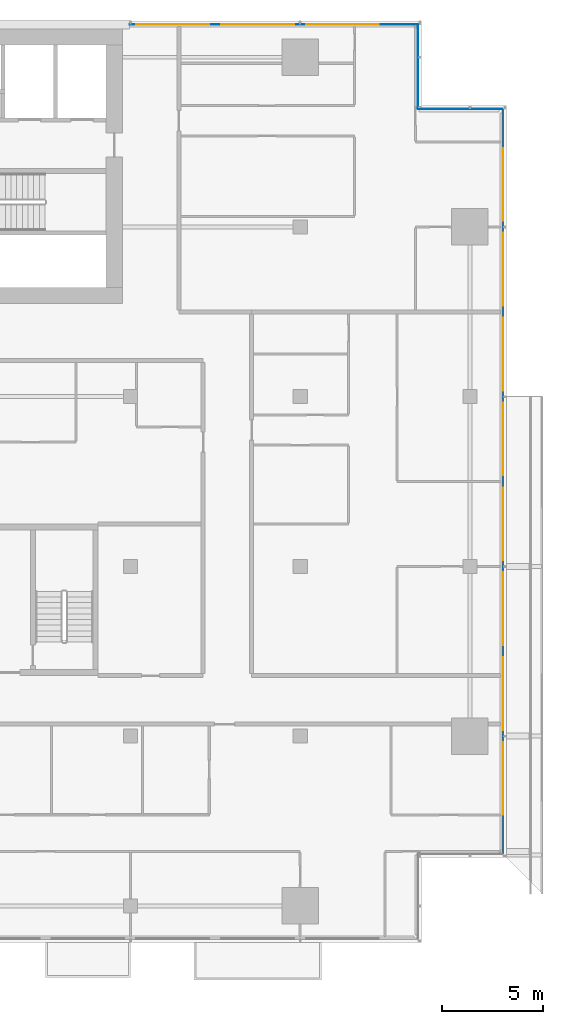
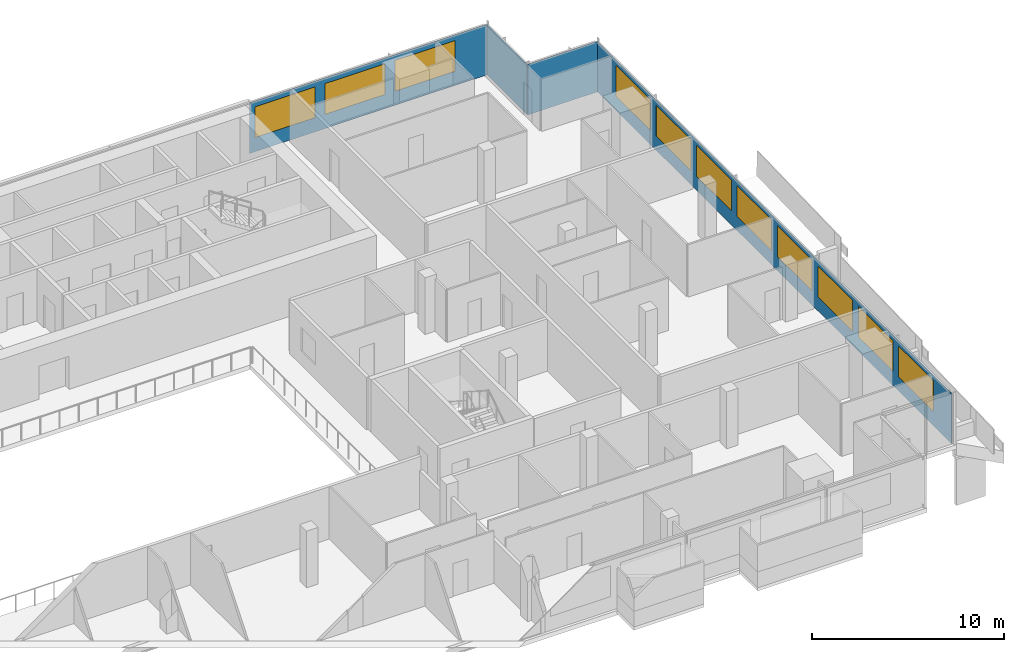
# One storey, part 17 of 29: 11 windows, 4 plates, 11 openings, 4 elements without a shape of their own.
"""IFC4 building model written with IfcOpenShell, lengths in metres."""

from ifc_helpers import new_model, si_unit, direction, frame, frame_2d, origin, place, context, subcontext, project, spatial, rectangle, extrude, material, layer, layer_set, type_object, element, fill, aggregate, save


model = new_model("IFC4")

# Units and contexts
model_context = context("Model", 3, precision=1e-05, world=origin(), true_north=direction((0.0, 1.0)))
body_context = subcontext(model_context, "Body", "Model", "MODEL_VIEW")
ifc_project = project(units=[si_unit("LENGTHUNIT", "METRE"), si_unit("AREAUNIT", "SQUARE_METRE"), si_unit("VOLUMEUNIT", "CUBIC_METRE"), si_unit("PLANEANGLEUNIT", "RADIAN"), si_unit("MASSUNIT", "GRAM", prefix="KILO")], contexts=[model_context])

# Site, building, storey
site_placement = place(None, origin())
site = spatial("IfcSite", under=ifc_project, at=site_placement, CompositionType="ELEMENT")
building_placement = place(site_placement, origin())
building = spatial("IfcBuilding", under=site, at=building_placement, Name="Saffron Gate Tower", CompositionType="ELEMENT")
storey_placement = place(building_placement, frame((0.0, 0.0, 161.85009765625)))
storey = spatial("IfcBuildingStorey", under=building, at=storey_placement, Name="L39", CompositionType="ELEMENT", Elevation=161.85009765625)

# Curtain wall, plate, openings, windows
ifc_material_1 = material(Name="Aluminium, bronze anodised", Category="aluminium")
curtain_wall_type_1 = type_object("IfcCurtainWallType", Name="CWS2 curtain wall side facades", PredefinedType="NOTDEFINED", material=ifc_material_1)
curtain_wall_1_placement = place(storey_placement, origin())
curtain_wall_1 = element("IfcCurtainWall", 1, at=curtain_wall_1_placement, inside=storey, type_object=curtain_wall_type_1, Name="CWS2 run 4", PredefinedType="NOTDEFINED")
ifc_material_2 = material(Name="Fritted bronze-tinted laminated glass", Category="glass")
ifc_layer_1 = layer(ifc_material_2, 0.028076171875)
ifc_layer_set_1 = layer_set([ifc_layer_1], Name="CWS2 fixed glass")
plate_type_1 = type_object("IfcPlateType", Name="CWS2 fixed glass", PredefinedType="CURTAIN_PANEL", material=ifc_layer_set_1)
plate_1_placement = place(storey_placement, frame((127.02587890625, 34.387939453125, 0.0), z_axis=(0.0, 0.0, 1.0), x_axis=(0.0, 1.0, 0.0)))
plate_1 = element("IfcPlate", 2, at=plate_1_placement, type_object=plate_type_1, Name="CWS2 glass panel", PredefinedType="CURTAIN_PANEL", context=body_context, shape_type="SweptSolid", body=[
    extrude(rectangle(XDim=36.823974609375, YDim=0.028076171875, at=frame_2d((18.412109375, 0.0))), origin(), (0.0, 0.0, 1.0), 3.199951171875),
])
opening_1_placement = place(plate_1_placement, frame((1.912109375, 0.0, 0.89990234375)))
opening_1 = element("IfcOpeningElement", 3, at=opening_1_placement, cuts=plate_1, Name="Opening W1", PredefinedType="OPENING", context=body_context, shape_type="SweptSolid", body=[
    extrude(rectangle(XDim=3.60009765625, YDim=1.949951171875, at=frame_2d((1.800048828125, 0.97509765625))), frame((0.0, 0.02392578125, 0.0), z_axis=(0.0, -1.0, 0.0), x_axis=(1.0, 0.0, 0.0)), (0.0, 0.0, 1.0), 0.048095703125),
])
opening_2_placement = place(plate_1_placement, frame((6.112060546875, 0.0, 0.89990234375)))
opening_2 = element("IfcOpeningElement", 4, at=opening_2_placement, cuts=plate_1, Name="Opening W1", PredefinedType="OPENING", context=body_context, shape_type="SweptSolid", body=[
    extrude(rectangle(XDim=3.60009765625, YDim=1.949951171875, at=frame_2d((1.800048828125, 0.97509765625))), frame((0.0, 0.02392578125, 0.0), z_axis=(0.0, -1.0, 0.0), x_axis=(1.0, 0.0, 0.0)), (0.0, 0.0, 1.0), 0.048095703125),
])
opening_3_placement = place(plate_1_placement, frame((10.31201171875, 0.0, 0.89990234375)))
opening_3 = element("IfcOpeningElement", 5, at=opening_3_placement, cuts=plate_1, Name="Opening W1", PredefinedType="OPENING", context=body_context, shape_type="SweptSolid", body=[
    extrude(rectangle(XDim=3.60009765625, YDim=1.949951171875, at=frame_2d((1.800048828125, 0.97509765625))), frame((0.0, 0.02392578125, 0.0), z_axis=(0.0, -1.0, 0.0), x_axis=(1.0, 0.0, 0.0)), (0.0, 0.0, 1.0), 0.048095703125),
])
opening_4_placement = place(plate_1_placement, frame((14.511962890625, 0.0, 0.89990234375)))
opening_4 = element("IfcOpeningElement", 6, at=opening_4_placement, cuts=plate_1, Name="Opening W1", PredefinedType="OPENING", context=body_context, shape_type="SweptSolid", body=[
    extrude(rectangle(XDim=3.60009765625, YDim=1.949951171875, at=frame_2d((1.800048828125, 0.97509765625))), frame((0.0, 0.02392578125, 0.0), z_axis=(0.0, -1.0, 0.0), x_axis=(1.0, 0.0, 0.0)), (0.0, 0.0, 1.0), 0.048095703125),
])
opening_5_placement = place(plate_1_placement, frame((18.7119140625, 0.0, 0.89990234375)))
opening_5 = element("IfcOpeningElement", 7, at=opening_5_placement, cuts=plate_1, Name="Opening W1", PredefinedType="OPENING", context=body_context, shape_type="SweptSolid", body=[
    extrude(rectangle(XDim=3.60009765625, YDim=1.949951171875, at=frame_2d((1.800048828125, 0.97509765625))), frame((0.0, 0.02392578125, 0.0), z_axis=(0.0, -1.0, 0.0), x_axis=(1.0, 0.0, 0.0)), (0.0, 0.0, 1.0), 0.048095703125),
])
opening_6_placement = place(plate_1_placement, frame((22.912109375, 0.0, 0.89990234375)))
opening_6 = element("IfcOpeningElement", 8, at=opening_6_placement, cuts=plate_1, Name="Opening W1", PredefinedType="OPENING", context=body_context, shape_type="SweptSolid", body=[
    extrude(rectangle(XDim=3.60009765625, YDim=1.949951171875, at=frame_2d((1.800048828125, 0.97509765625))), frame((0.0, 0.02392578125, 0.0), z_axis=(0.0, -1.0, 0.0), x_axis=(1.0, 0.0, 0.0)), (0.0, 0.0, 1.0), 0.048095703125),
])
opening_7_placement = place(plate_1_placement, frame((27.112060546875, 0.0, 0.89990234375)))
opening_7 = element("IfcOpeningElement", 9, at=opening_7_placement, cuts=plate_1, Name="Opening W1", PredefinedType="OPENING", context=body_context, shape_type="SweptSolid", body=[
    extrude(rectangle(XDim=3.60009765625, YDim=1.949951171875, at=frame_2d((1.800048828125, 0.97509765625))), frame((0.0, 0.02392578125, 0.0), z_axis=(0.0, -1.0, 0.0), x_axis=(1.0, 0.0, 0.0)), (0.0, 0.0, 1.0), 0.048095703125),
])
opening_8_placement = place(plate_1_placement, frame((31.31201171875, 0.0, 0.89990234375)))
opening_8 = element("IfcOpeningElement", 10, at=opening_8_placement, cuts=plate_1, Name="Opening W1", PredefinedType="OPENING", context=body_context, shape_type="SweptSolid", body=[
    extrude(rectangle(XDim=3.60009765625, YDim=1.949951171875, at=frame_2d((1.800048828125, 0.97509765625))), frame((0.0, 0.02392578125, 0.0), z_axis=(0.0, -1.0, 0.0), x_axis=(1.0, 0.0, 0.0)), (0.0, 0.0, 1.0), 0.048095703125),
])
ifc_material_3 = material(Name="Fritted bronze-tinted laminated glass in bronze frame", Category="glass")
ifc_layer_2 = layer(ifc_material_3, 0.06005859375)
ifc_layer_set_2 = layer_set([ifc_layer_2], Name="W1 operable panel 3600x1950")
window_type = type_object("IfcWindowType", Name="W1 operable panel 3600x1950", PartitioningType="DOUBLE_PANEL_HORIZONTAL", PredefinedType="WINDOW", material=ifc_layer_set_2)
window_1_placement = place(opening_1_placement, origin())
window_1 = element("IfcWindow", 11, at=window_1_placement, type_object=window_type, Name="W1 operable panel", OverallHeight=1.949951171875, OverallWidth=3.60009765625, PartitioningType="SINGLE_PANEL", PredefinedType="WINDOW", context=body_context, shape_type="SweptSolid", body=[
    extrude(rectangle(XDim=3.60009765625, YDim=1.949951171875, at=frame_2d((1.800048828125, 0.97509765625))), frame((0.0, 0.013671875, 0.0), z_axis=(0.0, -1.0, 0.0), x_axis=(1.0, 0.0, 0.0)), (0.0, 0.0, 1.0), 0.027587890625),
])
fill(opening_1, window_1)
window_2_placement = place(opening_2_placement, origin())
window_2 = element("IfcWindow", 12, at=window_2_placement, type_object=window_type, Name="W1 operable panel", OverallHeight=1.949951171875, OverallWidth=3.60009765625, PartitioningType="SINGLE_PANEL", PredefinedType="WINDOW", context=body_context, shape_type="SweptSolid", body=[
    extrude(rectangle(XDim=3.60009765625, YDim=1.949951171875, at=frame_2d((1.800048828125, 0.97509765625))), frame((0.0, 0.013671875, 0.0), z_axis=(0.0, -1.0, 0.0), x_axis=(1.0, 0.0, 0.0)), (0.0, 0.0, 1.0), 0.027587890625),
])
fill(opening_2, window_2)
window_3_placement = place(opening_3_placement, origin())
window_3 = element("IfcWindow", 13, at=window_3_placement, type_object=window_type, Name="W1 operable panel", OverallHeight=1.949951171875, OverallWidth=3.60009765625, PartitioningType="SINGLE_PANEL", PredefinedType="WINDOW", context=body_context, shape_type="SweptSolid", body=[
    extrude(rectangle(XDim=3.60009765625, YDim=1.949951171875, at=frame_2d((1.800048828125, 0.97509765625))), frame((0.0, 0.013671875, 0.0), z_axis=(0.0, -1.0, 0.0), x_axis=(1.0, 0.0, 0.0)), (0.0, 0.0, 1.0), 0.027587890625),
])
fill(opening_3, window_3)
window_4_placement = place(opening_4_placement, origin())
window_4 = element("IfcWindow", 14, at=window_4_placement, type_object=window_type, Name="W1 operable panel", OverallHeight=1.949951171875, OverallWidth=3.60009765625, PartitioningType="SINGLE_PANEL", PredefinedType="WINDOW", context=body_context, shape_type="SweptSolid", body=[
    extrude(rectangle(XDim=3.60009765625, YDim=1.949951171875, at=frame_2d((1.800048828125, 0.97509765625))), frame((0.0, 0.013671875, 0.0), z_axis=(0.0, -1.0, 0.0), x_axis=(1.0, 0.0, 0.0)), (0.0, 0.0, 1.0), 0.027587890625),
])
fill(opening_4, window_4)
window_5_placement = place(opening_5_placement, origin())
window_5 = element("IfcWindow", 15, at=window_5_placement, type_object=window_type, Name="W1 operable panel", OverallHeight=1.949951171875, OverallWidth=3.60009765625, PartitioningType="SINGLE_PANEL", PredefinedType="WINDOW", context=body_context, shape_type="SweptSolid", body=[
    extrude(rectangle(XDim=3.60009765625, YDim=1.949951171875, at=frame_2d((1.800048828125, 0.97509765625))), frame((0.0, 0.013671875, 0.0), z_axis=(0.0, -1.0, 0.0), x_axis=(1.0, 0.0, 0.0)), (0.0, 0.0, 1.0), 0.027587890625),
])
fill(opening_5, window_5)
window_6_placement = place(opening_6_placement, origin())
window_6 = element("IfcWindow", 16, at=window_6_placement, type_object=window_type, Name="W1 operable panel", OverallHeight=1.949951171875, OverallWidth=3.60009765625, PartitioningType="SINGLE_PANEL", PredefinedType="WINDOW", context=body_context, shape_type="SweptSolid", body=[
    extrude(rectangle(XDim=3.60009765625, YDim=1.949951171875, at=frame_2d((1.800048828125, 0.97509765625))), frame((0.0, 0.013671875, 0.0), z_axis=(0.0, -1.0, 0.0), x_axis=(1.0, 0.0, 0.0)), (0.0, 0.0, 1.0), 0.027587890625),
])
fill(opening_6, window_6)
window_7_placement = place(opening_7_placement, origin())
window_7 = element("IfcWindow", 17, at=window_7_placement, type_object=window_type, Name="W1 operable panel", OverallHeight=1.949951171875, OverallWidth=3.60009765625, PartitioningType="SINGLE_PANEL", PredefinedType="WINDOW", context=body_context, shape_type="SweptSolid", body=[
    extrude(rectangle(XDim=3.60009765625, YDim=1.949951171875, at=frame_2d((1.800048828125, 0.97509765625))), frame((0.0, 0.013671875, 0.0), z_axis=(0.0, -1.0, 0.0), x_axis=(1.0, 0.0, 0.0)), (0.0, 0.0, 1.0), 0.027587890625),
])
fill(opening_7, window_7)
window_8_placement = place(opening_8_placement, origin())
window_8 = element("IfcWindow", 18, at=window_8_placement, type_object=window_type, Name="W1 operable panel", OverallHeight=1.949951171875, OverallWidth=3.60009765625, PartitioningType="SINGLE_PANEL", PredefinedType="WINDOW", context=body_context, shape_type="SweptSolid", body=[
    extrude(rectangle(XDim=3.60009765625, YDim=1.949951171875, at=frame_2d((1.800048828125, 0.97509765625))), frame((0.0, 0.013671875, 0.0), z_axis=(0.0, -1.0, 0.0), x_axis=(1.0, 0.0, 0.0)), (0.0, 0.0, 1.0), 0.027587890625),
])
fill(opening_8, window_8)
aggregate(curtain_wall_1, [plate_1, window_1, window_2, window_3, window_4, window_5, window_6, window_7, window_8])

curtain_wall_type_2 = type_object("IfcCurtainWallType", Name="CWS3 curtain wall rear facade", PredefinedType="NOTDEFINED", material=ifc_material_1)
curtain_wall_2_placement = place(storey_placement, origin())
curtain_wall_2 = element("IfcCurtainWall", 19, at=curtain_wall_2_placement, inside=storey, type_object=curtain_wall_type_2, Name="CWS3 run 7", PredefinedType="NOTDEFINED")
ifc_material_4 = material(Name="Fritted grey-tinted laminated glass", Category="glass")
ifc_layer_3 = layer(ifc_material_4, 0.028076171875)
ifc_layer_set_3 = layer_set([ifc_layer_3], Name="CWS3 fixed glass")
plate_type_2 = type_object("IfcPlateType", Name="CWS3 fixed glass", PredefinedType="CURTAIN_PANEL", material=ifc_layer_set_3)
plate_2_placement = place(storey_placement, frame((122.81201171875, 75.426025390625, 0.0), z_axis=(0.0, 0.0, 1.0), x_axis=(-1.0, 0.0, 0.0)))
plate_2 = element("IfcPlate", 20, at=plate_2_placement, type_object=plate_type_2, Name="CWS3 glass panel", PredefinedType="CURTAIN_PANEL", context=body_context, shape_type="SweptSolid", body=[
    extrude(rectangle(XDim=14.2470703125, YDim=0.028076171875, at=frame_2d((7.12353515625, 0.0))), origin(), (0.0, 0.0, 1.0), 3.199951171875),
])
opening_9_placement = place(plate_2_placement, frame((1.912109375, 0.0, 0.89990234375)))
opening_9 = element("IfcOpeningElement", 21, at=opening_9_placement, cuts=plate_2, Name="Opening W1", PredefinedType="OPENING", context=body_context, shape_type="SweptSolid", body=[
    extrude(rectangle(XDim=3.60009765625, YDim=1.949951171875, at=frame_2d((1.800048828125, 0.97509765625))), frame((0.0, 0.02392578125, 0.0), z_axis=(0.0, -1.0, 0.0), x_axis=(1.0, 0.0, 0.0)), (0.0, 0.0, 1.0), 0.048095703125),
])
opening_10_placement = place(plate_2_placement, frame((6.112060546875, 0.0, 0.89990234375)))
opening_10 = element("IfcOpeningElement", 22, at=opening_10_placement, cuts=plate_2, Name="Opening W1", PredefinedType="OPENING", context=body_context, shape_type="SweptSolid", body=[
    extrude(rectangle(XDim=3.60009765625, YDim=1.949951171875, at=frame_2d((1.800048828125, 0.97509765625))), frame((0.0, 0.02392578125, 0.0), z_axis=(0.0, -1.0, 0.0), x_axis=(1.0, 0.0, 0.0)), (0.0, 0.0, 1.0), 0.048095703125),
])
opening_11_placement = place(plate_2_placement, frame((10.31201171875, 0.0, 0.89990234375)))
opening_11 = element("IfcOpeningElement", 23, at=opening_11_placement, cuts=plate_2, Name="Opening W1", PredefinedType="OPENING", context=body_context, shape_type="SweptSolid", body=[
    extrude(rectangle(XDim=3.60009765625, YDim=1.949951171875, at=frame_2d((1.800048828125, 0.97509765625))), frame((0.0, 0.02392578125, 0.0), z_axis=(0.0, -1.0, 0.0), x_axis=(1.0, 0.0, 0.0)), (0.0, 0.0, 1.0), 0.048095703125),
])
window_9_placement = place(opening_9_placement, origin())
window_9 = element("IfcWindow", 24, at=window_9_placement, type_object=window_type, Name="W1 operable panel", OverallHeight=1.949951171875, OverallWidth=3.60009765625, PartitioningType="SINGLE_PANEL", PredefinedType="WINDOW", context=body_context, shape_type="SweptSolid", body=[
    extrude(rectangle(XDim=3.60009765625, YDim=1.949951171875, at=frame_2d((1.800048828125, 0.97509765625))), frame((0.0, 0.013671875, 0.0), z_axis=(0.0, -1.0, 0.0), x_axis=(1.0, 0.0, 0.0)), (0.0, 0.0, 1.0), 0.027587890625),
])
fill(opening_9, window_9)
window_10_placement = place(opening_10_placement, origin())
window_10 = element("IfcWindow", 25, at=window_10_placement, type_object=window_type, Name="W1 operable panel", OverallHeight=1.949951171875, OverallWidth=3.60009765625, PartitioningType="SINGLE_PANEL", PredefinedType="WINDOW", context=body_context, shape_type="SweptSolid", body=[
    extrude(rectangle(XDim=3.60009765625, YDim=1.949951171875, at=frame_2d((1.800048828125, 0.97509765625))), frame((0.0, 0.013671875, 0.0), z_axis=(0.0, -1.0, 0.0), x_axis=(1.0, 0.0, 0.0)), (0.0, 0.0, 1.0), 0.027587890625),
])
fill(opening_10, window_10)
window_11_placement = place(opening_11_placement, origin())
window_11 = element("IfcWindow", 26, at=window_11_placement, type_object=window_type, Name="W1 operable panel", OverallHeight=1.949951171875, OverallWidth=3.60009765625, PartitioningType="SINGLE_PANEL", PredefinedType="WINDOW", context=body_context, shape_type="SweptSolid", body=[
    extrude(rectangle(XDim=3.60009765625, YDim=1.949951171875, at=frame_2d((1.800048828125, 0.97509765625))), frame((0.0, 0.013671875, 0.0), z_axis=(0.0, -1.0, 0.0), x_axis=(1.0, 0.0, 0.0)), (0.0, 0.0, 1.0), 0.027587890625),
])
fill(opening_11, window_11)
aggregate(curtain_wall_2, [plate_2, window_9, window_10, window_11])

# Curtain wall, plate
curtain_wall_type_3 = type_object("IfcCurtainWallType", Name="CWS4 curtain wall corner returns", PredefinedType="NOTDEFINED", material=ifc_material_1)
curtain_wall_3_placement = place(storey_placement, origin())
curtain_wall_3 = element("IfcCurtainWall", 27, at=curtain_wall_3_placement, inside=storey, type_object=curtain_wall_type_3, Name="CWS4 run 5", PredefinedType="NOTDEFINED")
ifc_layer_4 = layer(ifc_material_2, 0.028076171875)
ifc_layer_set_4 = layer_set([ifc_layer_4], Name="CWS4 fixed glass")
plate_type_3 = type_object("IfcPlateType", Name="CWS4 fixed glass", PredefinedType="CURTAIN_PANEL", material=ifc_layer_set_4)
plate_3_placement = place(storey_placement, frame((127.011962890625, 71.22607421875, 0.0), z_axis=(0.0, 0.0, 1.0), x_axis=(-1.0, 0.0, 0.0)))
plate_3 = element("IfcPlate", 28, at=plate_3_placement, type_object=plate_type_3, Name="CWS4 glass panel", PredefinedType="CURTAIN_PANEL", context=body_context, shape_type="SweptSolid", body=[
    extrude(rectangle(XDim=4.171875, YDim=0.028076171875, at=frame_2d((2.0859375, 0.0))), origin(), (0.0, 0.0, 1.0), 3.199951171875),
])
aggregate(curtain_wall_3, [plate_3])

curtain_wall_4_placement = place(storey_placement, origin())
curtain_wall_4 = element("IfcCurtainWall", 29, at=curtain_wall_4_placement, inside=storey, type_object=curtain_wall_type_3, Name="CWS4 run 6", PredefinedType="NOTDEFINED")
plate_4_placement = place(storey_placement, frame((122.825927734375, 71.239990234375, 0.0), z_axis=(0.0, 0.0, 1.0), x_axis=(0.0, 1.0, 0.0)))
plate_4 = element("IfcPlate", 30, at=plate_4_placement, type_object=plate_type_3, Name="CWS4 glass panel", PredefinedType="CURTAIN_PANEL", context=body_context, shape_type="SweptSolid", body=[
    extrude(rectangle(XDim=4.172119140625, YDim=0.028076171875, at=frame_2d((2.0859375, 0.0))), origin(), (0.0, 0.0, 1.0), 3.199951171875),
])
aggregate(curtain_wall_4, [plate_4])

save(model, "model.ifc")
